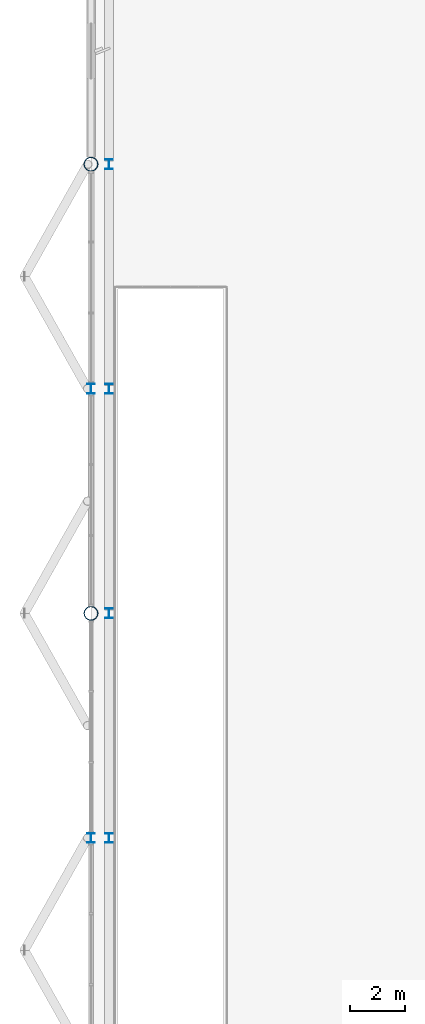
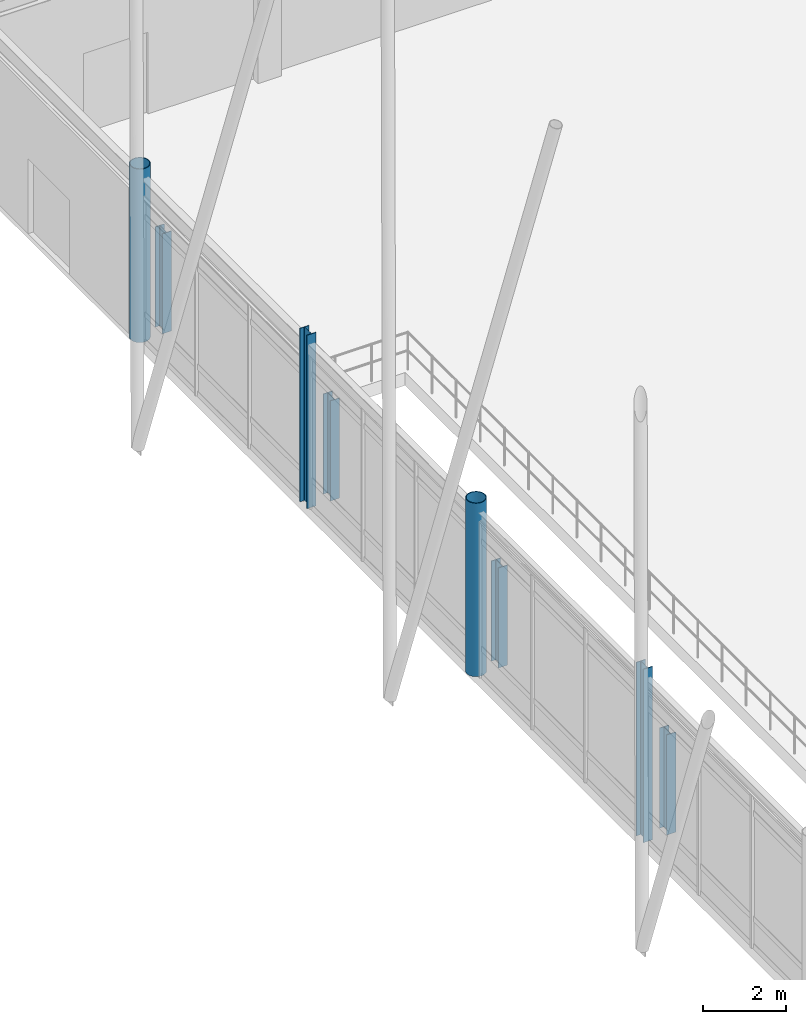
# One storey, part 7 of 99: 8 columns.
"""IFC4 building model written with IfcOpenShell, lengths in metres."""

from ifc_helpers import new_model, si_unit, direction, frame, origin, origin_2d, place, context, subcontext, project, spatial, hollow_circle, i_section, extrude, material, material_profile, profile_set, type_object, element, save


model = new_model("IFC4")

# Units and contexts
model_context = context("Model", 3, precision=1e-05, world=origin(), true_north=direction((0.0, 1.0)))
body_context = subcontext(model_context, "Body", "Model", "MODEL_VIEW")
ifc_project = project(units=[si_unit("LENGTHUNIT", "METRE"), si_unit("AREAUNIT", "SQUARE_METRE"), si_unit("VOLUMEUNIT", "CUBIC_METRE"), si_unit("PLANEANGLEUNIT", "RADIAN"), si_unit("MASSUNIT", "GRAM", prefix="KILO")], contexts=[model_context])

# Site, building, storey
site_placement = place(None, origin())
site = spatial("IfcSite", under=ifc_project, at=site_placement, CompositionType="ELEMENT")
building_placement = place(site_placement, origin())
building = spatial("IfcBuilding", under=site, at=building_placement, Name="Vaudrelin Polytechnic", CompositionType="ELEMENT")
storey_placement = place(building_placement, origin())
storey = spatial("IfcBuildingStorey", under=building, at=storey_placement, Name="L00", CompositionType="ELEMENT", Elevation=0.0)

# Columns
ifc_material_1 = material(Name="Steel CSA G40.21 350WT", Category="steel")
ifc_material_profile_1 = material_profile(ifc_material_1, hollow_circle(Radius=0.25390625, WallThickness=0.01904296875, at=origin_2d()), Name="CHS508.0x19.1")
ifc_profile_set_1 = profile_set([ifc_material_profile_1], Name="Steel CSA G40.21 350WT")
column_type_1 = type_object("IfcColumnType", Name="COL-C-TR508", PredefinedType="COLUMN", material=ifc_profile_set_1)
for number, where, z_axis, x_axis, name in (
    (1, (0.0, 64.800048828125, 0.0), (0.0, 0.0, 1.0), (1.0, 0.0, 0.0), "Column L00 1-9"),
    (2, (0.0, 81.0, 0.0), (0.0, 0.0, 1.0), (1.0, 0.0, 0.0), "Column L00 1-11"),
):
    element("IfcColumn", number, at=place(storey_placement, frame(where, z_axis=z_axis, x_axis=x_axis)), inside=storey, type_object=column_type_1, Name=name, PredefinedType="COLUMN", context=body_context, shape_type="SweptSolid", body=[
        extrude(hollow_circle(Radius=0.25390625, WallThickness=0.01904296875, at=origin_2d()), origin(), (0.0, 0.0, 1.0), 5.10009765625),
    ])
ifc_material_2 = material(Name="Steel CSA G40.21 350W", Category="steel")
ifc_material_profile_2 = material_profile(ifc_material_2, i_section(OverallWidth=0.25390625, OverallDepth=0.35302734375, WebThickness=0.009521484375, FlangeThickness=0.016357421875, FilletRadius=0.01611328125, at=origin_2d()), Name="W360x91")
ifc_profile_set_2 = profile_set([ifc_material_profile_2], Name="Steel CSA G40.21 350W")
column_type_2 = type_object("IfcColumnType", Name="COL-C-W360", PredefinedType="PILASTER", material=ifc_profile_set_2)
for number, where, z_axis, x_axis, name in (
    (3, (0.0, 56.699951171875, 0.0), (0.0, 0.0, 1.0), (1.0, 0.0, 0.0), "Column L00 1-8"),
    (4, (0.0, 72.89990234375, 0.0), (0.0, 0.0, 1.0), (1.0, 0.0, 0.0), "Column L00 1-10"),
):
    element("IfcColumn", number, at=place(storey_placement, frame(where, z_axis=z_axis, x_axis=x_axis)), inside=storey, type_object=column_type_2, Name=name, PredefinedType="PILASTER", context=body_context, shape_type="SweptSolid", body=[
        extrude(i_section(OverallWidth=0.25390625, OverallDepth=0.35302734375, WebThickness=0.009521484375, FlangeThickness=0.016357421875, FilletRadius=0.01611328125, at=origin_2d()), origin(), (0.0, 0.0, 1.0), 5.10009765625),
    ])
for number, where, z_axis, x_axis, name in (
    (5, (0.64990234375, 56.699951171875, 0.0), (0.0, 0.0, 1.0), (1.0, 0.0, 0.0), "Crane runway support post WEST-7"),
    (6, (0.64990234375, 64.800048828125, 0.0), (0.0, 0.0, 1.0), (1.0, 0.0, 0.0), "Crane runway support post WEST-8"),
    (7, (0.64990234375, 72.89990234375, 0.0), (0.0, 0.0, 1.0), (1.0, 0.0, 0.0), "Crane runway support post WEST-9"),
    (8, (0.64990234375, 81.0, 0.0), (0.0, 0.0, 1.0), (1.0, 0.0, 0.0), "Crane runway support post WEST-10"),
):
    element("IfcColumn", number, at=place(storey_placement, frame(where, z_axis=z_axis, x_axis=x_axis)), inside=storey, type_object=column_type_2, Name=name, PredefinedType="PILASTER", context=body_context, shape_type="SweptSolid", body=[
        extrude(i_section(OverallWidth=0.25390625, OverallDepth=0.35302734375, WebThickness=0.009521484375, FlangeThickness=0.016357421875, FilletRadius=0.01611328125, at=origin_2d()), origin(), (0.0, 0.0, 1.0), 2.943115234375),
    ])

save(model, "model.ifc")
